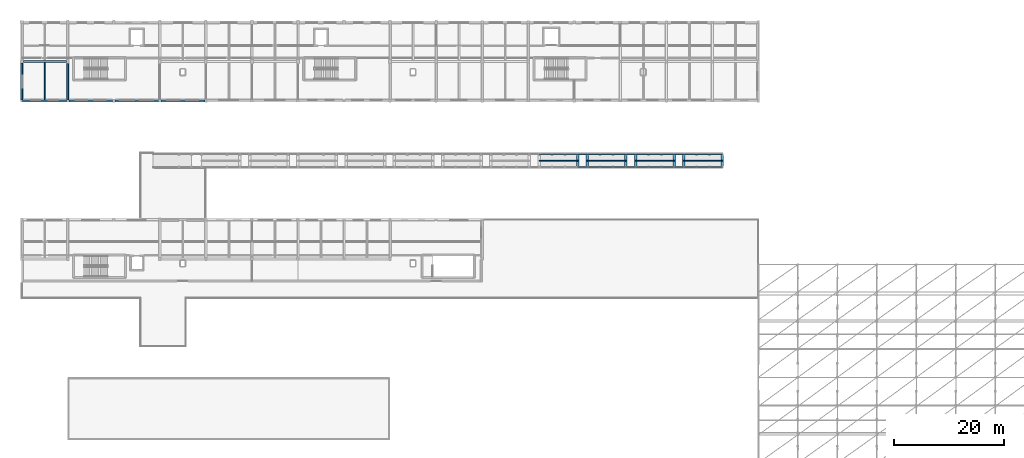
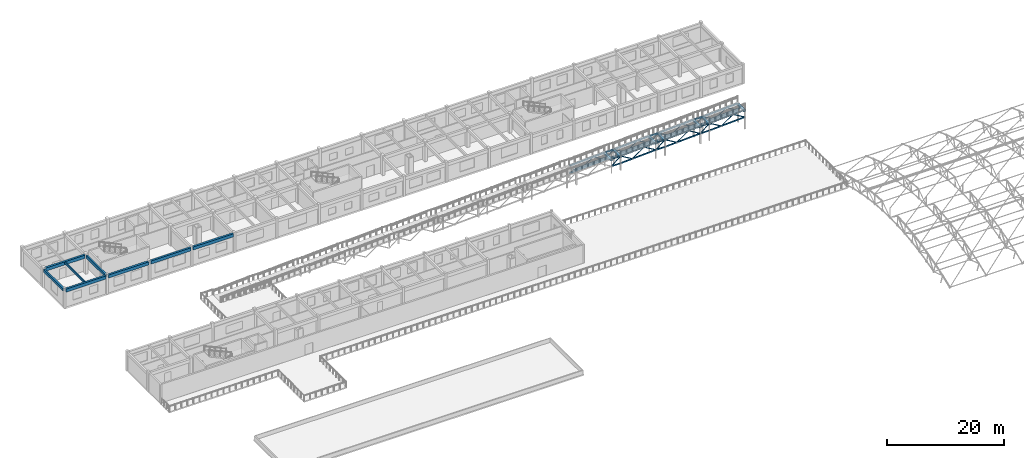
# One storey, part 10 of 41: 52 members, 19 beams.
"""IFC4 building model written with IfcOpenShell, lengths in metres."""

from ifc_helpers import new_model, si_unit, direction, frame, origin, origin_2d, place, context, subcontext, project, spatial, rectangle, hollow_rectangle, i_section, extrude, material, material_profile, profile_set, type_object, element, save


model = new_model("IFC4")

# Units and contexts
model_context = context("Model", 3, precision=1e-05, world=origin(), true_north=direction((0.0, 1.0)))
body_context = subcontext(model_context, "Body", "Model", "MODEL_VIEW")
ifc_project = project(units=[si_unit("LENGTHUNIT", "METRE"), si_unit("AREAUNIT", "SQUARE_METRE"), si_unit("VOLUMEUNIT", "CUBIC_METRE"), si_unit("PLANEANGLEUNIT", "RADIAN"), si_unit("MASSUNIT", "GRAM", prefix="KILO")], contexts=[model_context])

# Site, building, storey
site_placement = place(None, origin())
site = spatial("IfcSite", under=ifc_project, at=site_placement, CompositionType="ELEMENT")
building_placement = place(site_placement, origin())
building = spatial("IfcBuilding", under=site, at=building_placement, Name="Malvenik Polytechnic", CompositionType="ELEMENT")
storey_placement = place(building_placement, frame((0.0, 0.0, 17.699951171875)))
storey = spatial("IfcBuildingStorey", under=building, at=storey_placement, Name="L04", CompositionType="ELEMENT", Elevation=17.699951171875)

# Beams
ifc_material_1 = material(Name="Concrete C35/45", Category="concrete")
ifc_material_profile_1 = material_profile(ifc_material_1, rectangle(XDim=0.39990234375, YDim=0.679931640625, at=origin_2d()), Name="RC BM 400x680")
ifc_profile_set_1 = profile_set([ifc_material_profile_1], Name="Concrete C35/45")
beam_type_1 = type_object("IfcBeamType", Name="STR-BM-B-05", PredefinedType="BEAM", material=ifc_profile_set_1)
beam_1_placement = place(storey_placement, frame((0.298095703125, 122.39990234375, 3.580078125), z_axis=(1.0, 0.0, 0.0), x_axis=(0.0, 1.0, 0.0)))
element("IfcBeam", 1, at=beam_1_placement, inside=storey, type_object=beam_type_1, Name="Primary Beam B-05 L04 #1859", PredefinedType="BEAM", context=body_context, shape_type="SweptSolid", body=[
    extrude(rectangle(XDim=0.39990234375, YDim=0.679931640625, at=origin_2d()), origin(), (0.0, 0.0, 1.0), 7.85400390625),
])
ifc_material_profile_2 = material_profile(ifc_material_1, rectangle(XDim=0.35009765625, YDim=0.550048828125, at=origin_2d()), Name="RC BM 350x550")
ifc_profile_set_2 = profile_set([ifc_material_profile_2], Name="Concrete C35/45")
beam_type_2 = type_object("IfcBeamType", Name="STR-BM-B-08", PredefinedType="BEAM", material=ifc_profile_set_2)
beam_2_placement = place(storey_placement, frame((0.0, 115.39794921875, 3.64501953125), z_axis=(0.0, 1.0, 0.0), x_axis=(-1.0, 0.0, 0.0)))
element("IfcBeam", 2, at=beam_2_placement, inside=storey, type_object=beam_type_2, Name="Transverse Beam B-08 L04 #1886", PredefinedType="BEAM", context=body_context, shape_type="SweptSolid", body=[
    extrude(rectangle(XDim=0.35009765625, YDim=0.550048828125, at=origin_2d()), origin(), (0.0, 0.0, 1.0), 6.7041015625),
])
beam_3_placement = place(storey_placement, frame((8.39990234375, 115.423095703125, 3.64501953125), z_axis=(0.0, 1.0, 0.0), x_axis=(-1.0, 0.0, 0.0)))
element("IfcBeam", 3, at=beam_3_placement, inside=storey, type_object=beam_type_2, Name="Transverse Beam B-08 L04 #1889", PredefinedType="BEAM", context=body_context, shape_type="SweptSolid", body=[
    extrude(rectangle(XDim=0.35009765625, YDim=0.550048828125, at=origin_2d()), origin(), (0.0, 0.0, 1.0), 6.60400390625),
])
ifc_material_2 = material(Name="Concrete C30/37", Category="concrete")
ifc_material_profile_3 = material_profile(ifc_material_2, rectangle(XDim=0.239990234375, YDim=0.419921875, at=origin_2d()), Name="RC JST 240x420")
ifc_profile_set_3 = profile_set([ifc_material_profile_3], Name="Concrete C30/37")
beam_type_3 = type_object("IfcBeamType", Name="STR-BM-J-03", PredefinedType="JOIST", material=ifc_profile_set_3)
beam_4_placement = place(storey_placement, frame((4.199951171875, 115.39794921875, 3.7099609375), z_axis=(0.0, 1.0, 0.0), x_axis=(-1.0, 0.0, 0.0)))
element("IfcBeam", 4, at=beam_4_placement, inside=storey, type_object=beam_type_3, Name="Secondary Rib Joist J-03 L04 #1923", PredefinedType="JOIST", context=body_context, shape_type="SweptSolid", body=[
    extrude(rectangle(XDim=0.239990234375, YDim=0.419921875, at=origin_2d()), origin(), (0.0, 0.0, 1.0), 6.803955078125),
])
ifc_material_3 = material(Name="Steel S355J2H", Category="steel")
ifc_material_profile_4 = material_profile(ifc_material_3, hollow_rectangle(XDim=0.449951171875, YDim=0.300048828125, WallThickness=0.012451171875, at=origin_2d()), Name="RHS 450x300x12.5")
ifc_profile_set_4 = profile_set([ifc_material_profile_4], Name="Steel S355J2H")
beam_type_4 = type_object("IfcBeamType", Name="STR-BM-SB-07", PredefinedType="BEAM", material=ifc_profile_set_4)
for number, where, z_axis, x_axis, name in (
    (5, (101.39990234375, 103.050048828125, 2.781982421875), (0.0, 1.0, 0.0), (-1.0, 0.0, 0.0), "Ramp Joint Transom RB-03 #17"),
    (6, (103.199951171875, 103.050048828125, 2.781982421875), (0.0, 1.0, 0.0), (-1.0, 0.0, 0.0), "Ramp Joint Transom RB-03 #18"),
    (7, (110.199951171875, 103.050048828125, 3.132080078125), (0.0, 1.0, 0.0), (-1.0, 0.0, 0.0), "Ramp Joint Transom RB-03 #19"),
    (8, (112.0, 103.050048828125, 3.132080078125), (0.0, 1.0, 0.0), (-1.0, 0.0, 0.0), "Ramp Joint Transom RB-03 #20"),
    (9, (119.0, 103.050048828125, 3.48193359375), (0.0, 1.0, 0.0), (-1.0, 0.0, 0.0), "Ramp Joint Transom RB-03 #21"),
    (10, (120.800048828125, 103.050048828125, 3.48193359375), (0.0, 1.0, 0.0), (-1.0, 0.0, 0.0), "Ramp Joint Transom RB-03 #22"),
    (11, (127.800048828125, 103.050048828125, 3.802001953125), (0.0, 1.0, 0.0), (-1.0, 0.0, 0.0), "Ramp Joint Transom RB-03 #23"),
):
    element("IfcBeam", number, at=place(storey_placement, frame(where, z_axis=z_axis, x_axis=x_axis)), inside=storey, type_object=beam_type_4, Name=name, PredefinedType="BEAM", context=body_context, shape_type="SweptSolid", body=[
        extrude(hollow_rectangle(XDim=0.449951171875, YDim=0.300048828125, WallThickness=0.012451171875, at=origin_2d()), origin(), (0.0, 0.0, 1.0), 2.5),
    ])
ifc_material_4 = material(Name="Steel S355", Category="steel")
ifc_material_profile_5 = material_profile(ifc_material_4, i_section(OverallWidth=0.14990234375, OverallDepth=0.300048828125, WebThickness=0.007080078125, FlangeThickness=0.0107421875, FilletRadius=0.014892578125, at=origin_2d()), Name="IPE 300")
ifc_profile_set_5 = profile_set([ifc_material_profile_5], Name="Steel S355")
beam_type_5 = type_object("IfcBeamType", Name="STR-BM-SB-09", PredefinedType="JOIST", material=ifc_profile_set_5)
for number, where, z_axis, x_axis, name in (
    (12, (94.39990234375, 104.300048828125, 2.375), (0.998751643845, 0.0, 0.049951515669), (0.0, 1.0, 0.0), "Ramp Centreline Stringer RB-03 #16"),
    (13, (103.199951171875, 104.300048828125, 2.72509765625), (0.998753381067, 0.0, 0.049916768801), (0.0, 1.0, 0.0), "Ramp Centreline Stringer RB-03 #18"),
    (14, (112.0, 104.300048828125, 3.074951171875), (0.998751643845, 0.0, 0.049951515669), (0.0, 1.0, 0.0), "Ramp Centreline Stringer RB-03 #20"),
    (15, (120.800048828125, 104.300048828125, 3.425048828125), (0.998751643845, 0.0, 0.049951515669), (0.0, 1.0, 0.0), "Ramp Centreline Stringer RB-03 #22"),
):
    element("IfcBeam", number, at=place(storey_placement, frame(where, z_axis=z_axis, x_axis=x_axis)), inside=storey, type_object=beam_type_5, Name=name, PredefinedType="JOIST", context=body_context, shape_type="SweptSolid", body=[
        extrude(i_section(OverallWidth=0.14990234375, OverallDepth=0.300048828125, WebThickness=0.007080078125, FlangeThickness=0.0107421875, FilletRadius=0.014892578125, at=origin_2d()), origin(), (0.0, 0.0, 1.0), 7.0087890625),
    ])
ifc_material_5 = material(Name="Precast concrete C40/50", Category="concrete")
ifc_material_profile_6 = material_profile(ifc_material_5, rectangle(XDim=0.39990234375, YDim=0.659912109375, at=origin_2d()), Name="PC SPN 400x660")
ifc_profile_set_6 = profile_set([ifc_material_profile_6], Name="Precast concrete C40/50")
beam_type_6 = type_object("IfcBeamType", Name="STR-BM-SP-03", PredefinedType="SPANDREL", material=ifc_profile_set_6)
for number, where, z_axis, x_axis, name in (
    (16, (0.197998046875, 115.199951171875, 3.590087890625), (1.0, 0.0, 0.0), (0.0, 1.0, 0.0), "Primary Beam SP-03 L04 #1843"),
    (17, (8.623046875, 115.199951171875, 3.590087890625), (1.0, 0.0, 0.0), (0.0, 1.0, 0.0), "Primary Beam SP-03 L04 #1844"),
):
    element("IfcBeam", number, at=place(storey_placement, frame(where, z_axis=z_axis, x_axis=x_axis)), inside=storey, type_object=beam_type_6, Name=name, PredefinedType="SPANDREL", context=body_context, shape_type="SweptSolid", body=[
        extrude(rectangle(XDim=0.39990234375, YDim=0.659912109375, at=origin_2d()), origin(), (0.0, 0.0, 1.0), 7.97900390625),
    ])
beam_5_placement = place(storey_placement, frame((16.998046875, 115.199951171875, 3.590087890625), z_axis=(1.0, 0.0, 0.0), x_axis=(0.0, 1.0, 0.0)))
element("IfcBeam", 18, at=beam_5_placement, inside=storey, type_object=beam_type_6, Name="Primary Beam SP-03 L04 #1845", PredefinedType="SPANDREL", context=body_context, shape_type="SweptSolid", body=[
    extrude(rectangle(XDim=0.39990234375, YDim=0.659912109375, at=origin_2d()), origin(), (0.0, 0.0, 1.0), 8.00390625),
])
beam_6_placement = place(storey_placement, frame((25.39794921875, 115.199951171875, 3.590087890625), z_axis=(1.0, 0.0, 0.0), x_axis=(0.0, 1.0, 0.0)))
element("IfcBeam", 19, at=beam_6_placement, inside=storey, type_object=beam_type_6, Name="Primary Beam SP-03 L04 #1846", PredefinedType="SPANDREL", context=body_context, shape_type="SweptSolid", body=[
    extrude(rectangle(XDim=0.39990234375, YDim=0.659912109375, at=origin_2d()), origin(), (0.0, 0.0, 1.0), 8.004150390625),
])

# Members
ifc_material_profile_7 = material_profile(ifc_material_3, hollow_rectangle(XDim=0.14990234375, YDim=0.25, WallThickness=0.010009765625, at=origin_2d()), Name="RHS 250x150x10.0")
ifc_profile_set_7 = profile_set([ifc_material_profile_7], Name="Steel S355J2H")
member_type_1 = type_object("IfcMemberType", Name="STR-MEM-TRB-01", PredefinedType="CHORD", material=ifc_profile_set_7)
member_1_placement = place(storey_placement, frame((101.404052734375, 103.14990234375, 1.429931640625), z_axis=(1.0, 0.0, 0.0), x_axis=(0.0, 1.0, 0.0)))
element("IfcMember", 20, at=member_1_placement, inside=storey, type_object=member_type_1, Name="Space-Frame Tube TRB-01 STR-TR-BC-RB-03-1-17", PredefinedType="CHORD", context=body_context, shape_type="SweptSolid", body=[
    extrude(hollow_rectangle(XDim=0.14990234375, YDim=0.25, WallThickness=0.010009765625, at=origin_2d()), origin(), (0.0, 0.0, 1.0), 1.7919921875),
])
member_2_placement = place(storey_placement, frame((103.2041015625, 103.14990234375, 1.43017578125), z_axis=(0.998752251909, 0.0, 0.049939356288), x_axis=(0.0, 1.0, 0.0)))
element("IfcMember", 21, at=member_2_placement, inside=storey, type_object=member_type_1, Name="Space-Frame Tube TRB-01 STR-TR-BC-RB-03-1-18", PredefinedType="CHORD", context=body_context, shape_type="SweptSolid", body=[
    extrude(hollow_rectangle(XDim=0.14990234375, YDim=0.25, WallThickness=0.010009765625, at=origin_2d()), origin(), (0.0, 0.0, 1.0), 7.000732421875),
])
member_3_placement = place(storey_placement, frame((110.2041015625, 103.14990234375, 1.780029296875), z_axis=(1.0, 0.0, 0.0), x_axis=(0.0, 1.0, 0.0)))
element("IfcMember", 22, at=member_3_placement, inside=storey, type_object=member_type_1, Name="Space-Frame Tube TRB-01 STR-TR-BC-RB-03-1-19", PredefinedType="CHORD", context=body_context, shape_type="SweptSolid", body=[
    extrude(hollow_rectangle(XDim=0.14990234375, YDim=0.25, WallThickness=0.010009765625, at=origin_2d()), origin(), (0.0, 0.0, 1.0), 1.7919921875),
])
member_4_placement = place(storey_placement, frame((112.00390625, 103.14990234375, 1.7802734375), z_axis=(0.998752338878, 0.0, 0.049937616944), x_axis=(0.0, 1.0, 0.0)))
element("IfcMember", 23, at=member_4_placement, inside=storey, type_object=member_type_1, Name="Space-Frame Tube TRB-01 STR-TR-BC-RB-03-1-20", PredefinedType="CHORD", context=body_context, shape_type="SweptSolid", body=[
    extrude(hollow_rectangle(XDim=0.14990234375, YDim=0.25, WallThickness=0.010009765625, at=origin_2d()), origin(), (0.0, 0.0, 1.0), 7.0009765625),
])
member_5_placement = place(storey_placement, frame((119.00390625, 103.14990234375, 2.130126953125), z_axis=(1.0, 0.0, 0.0), x_axis=(0.0, 1.0, 0.0)))
element("IfcMember", 24, at=member_5_placement, inside=storey, type_object=member_type_1, Name="Space-Frame Tube TRB-01 STR-TR-BC-RB-03-1-21", PredefinedType="CHORD", context=body_context, shape_type="SweptSolid", body=[
    extrude(hollow_rectangle(XDim=0.14990234375, YDim=0.25, WallThickness=0.010009765625, at=origin_2d()), origin(), (0.0, 0.0, 1.0), 1.7919921875),
])
member_6_placement = place(storey_placement, frame((120.803955078125, 103.14990234375, 2.130126953125), z_axis=(0.998752251909, 0.0, 0.049939356288), x_axis=(0.0, 1.0, 0.0)))
element("IfcMember", 25, at=member_6_placement, inside=storey, type_object=member_type_1, Name="Space-Frame Tube TRB-01 STR-TR-BC-RB-03-1-22", PredefinedType="CHORD", context=body_context, shape_type="SweptSolid", body=[
    extrude(hollow_rectangle(XDim=0.14990234375, YDim=0.25, WallThickness=0.010009765625, at=origin_2d()), origin(), (0.0, 0.0, 1.0), 7.000732421875),
])
ifc_material_profile_8 = material_profile(ifc_material_3, hollow_rectangle(XDim=0.199951171875, YDim=0.300048828125, WallThickness=0.010009765625, at=origin_2d()), Name="RHS 300x200x10.0")
ifc_profile_set_8 = profile_set([ifc_material_profile_8], Name="Steel S355J2H")
member_type_2 = type_object("IfcMemberType", Name="STR-MEM-TRB-02", PredefinedType="CHORD", material=ifc_profile_set_8)
member_7_placement = place(storey_placement, frame((94.404052734375, 105.449951171875, 1.080322265625), z_axis=(0.998752251909, 0.0, 0.049939356288), x_axis=(0.0, 1.0, 0.0)))
element("IfcMember", 26, at=member_7_placement, inside=storey, type_object=member_type_2, Name="Space-Frame Tube TRB-02 STR-TR-BC-RB-03-2-16", PredefinedType="CHORD", context=body_context, shape_type="SweptSolid", body=[
    extrude(hollow_rectangle(XDim=0.199951171875, YDim=0.300048828125, WallThickness=0.010009765625, at=origin_2d()), origin(), (0.0, 0.0, 1.0), 7.000732421875),
])
member_8_placement = place(storey_placement, frame((101.404052734375, 105.449951171875, 1.429931640625), z_axis=(1.0, 0.0, 0.0), x_axis=(0.0, 1.0, 0.0)))
element("IfcMember", 27, at=member_8_placement, inside=storey, type_object=member_type_2, Name="Space-Frame Tube TRB-02 STR-TR-BC-RB-03-2-17", PredefinedType="CHORD", context=body_context, shape_type="SweptSolid", body=[
    extrude(hollow_rectangle(XDim=0.199951171875, YDim=0.300048828125, WallThickness=0.010009765625, at=origin_2d()), origin(), (0.0, 0.0, 1.0), 1.7919921875),
])
member_9_placement = place(storey_placement, frame((103.2041015625, 105.449951171875, 1.43017578125), z_axis=(0.998752251909, 0.0, 0.049939356288), x_axis=(0.0, 1.0, 0.0)))
element("IfcMember", 28, at=member_9_placement, inside=storey, type_object=member_type_2, Name="Space-Frame Tube TRB-02 STR-TR-BC-RB-03-2-18", PredefinedType="CHORD", context=body_context, shape_type="SweptSolid", body=[
    extrude(hollow_rectangle(XDim=0.199951171875, YDim=0.300048828125, WallThickness=0.010009765625, at=origin_2d()), origin(), (0.0, 0.0, 1.0), 7.000732421875),
])
member_10_placement = place(storey_placement, frame((110.2041015625, 105.449951171875, 1.780029296875), z_axis=(1.0, 0.0, 0.0), x_axis=(0.0, 1.0, 0.0)))
element("IfcMember", 29, at=member_10_placement, inside=storey, type_object=member_type_2, Name="Space-Frame Tube TRB-02 STR-TR-BC-RB-03-2-19", PredefinedType="CHORD", context=body_context, shape_type="SweptSolid", body=[
    extrude(hollow_rectangle(XDim=0.199951171875, YDim=0.300048828125, WallThickness=0.010009765625, at=origin_2d()), origin(), (0.0, 0.0, 1.0), 1.7919921875),
])
member_11_placement = place(storey_placement, frame((112.00390625, 105.449951171875, 1.7802734375), z_axis=(0.998752338878, 0.0, 0.049937616944), x_axis=(0.0, 1.0, 0.0)))
element("IfcMember", 30, at=member_11_placement, inside=storey, type_object=member_type_2, Name="Space-Frame Tube TRB-02 STR-TR-BC-RB-03-2-20", PredefinedType="CHORD", context=body_context, shape_type="SweptSolid", body=[
    extrude(hollow_rectangle(XDim=0.199951171875, YDim=0.300048828125, WallThickness=0.010009765625, at=origin_2d()), origin(), (0.0, 0.0, 1.0), 7.0009765625),
])
member_12_placement = place(storey_placement, frame((119.00390625, 105.449951171875, 2.130126953125), z_axis=(1.0, 0.0, 0.0), x_axis=(0.0, 1.0, 0.0)))
element("IfcMember", 31, at=member_12_placement, inside=storey, type_object=member_type_2, Name="Space-Frame Tube TRB-02 STR-TR-BC-RB-03-2-21", PredefinedType="CHORD", context=body_context, shape_type="SweptSolid", body=[
    extrude(hollow_rectangle(XDim=0.199951171875, YDim=0.300048828125, WallThickness=0.010009765625, at=origin_2d()), origin(), (0.0, 0.0, 1.0), 1.7919921875),
])
member_13_placement = place(storey_placement, frame((120.803955078125, 105.449951171875, 2.130126953125), z_axis=(0.998752251909, 0.0, 0.049939356288), x_axis=(0.0, 1.0, 0.0)))
element("IfcMember", 32, at=member_13_placement, inside=storey, type_object=member_type_2, Name="Space-Frame Tube TRB-02 STR-TR-BC-RB-03-2-22", PredefinedType="CHORD", context=body_context, shape_type="SweptSolid", body=[
    extrude(hollow_rectangle(XDim=0.199951171875, YDim=0.300048828125, WallThickness=0.010009765625, at=origin_2d()), origin(), (0.0, 0.0, 1.0), 7.000732421875),
])
ifc_material_profile_9 = material_profile(ifc_material_3, hollow_rectangle(XDim=0.14990234375, YDim=0.14990234375, WallThickness=0.008056640625, at=origin_2d()), Name="SHS 150x150x8.0")
ifc_profile_set_9 = profile_set([ifc_material_profile_9], Name="Steel S355J2H")
member_type_3 = type_object("IfcMemberType", Name="STR-MEM-TRD-01", PredefinedType="BRACE", material=ifc_profile_set_9)
for number, where, z_axis, x_axis, name in (
    (33, (103.203369140625, 103.14990234375, 2.927978515625), (0.860205006447, 0.0, -0.509948376684), (0.0, 1.0, 0.0), "Space-Frame Tube TRD-01 STR-TRD-01-RB-03-1-18"),
    (34, (107.8701171875, 103.14990234375, 3.161376953125), (0.860165406805, 0.0, -0.51001516932), (0.0, 1.0, 0.0), "Space-Frame Tube TRD-01 STR-TRD-03-RB-03-1-18"),
    (35, (112.00341796875, 103.14990234375, 3.278076171875), (0.860165406805, 0.0, -0.51001516932), (0.0, 1.0, 0.0), "Space-Frame Tube TRD-01 STR-TRD-01-RB-03-1-20"),
    (36, (116.670166015625, 103.14990234375, 3.51123046875), (0.860205006447, 0.0, -0.509948376684), (0.0, 1.0, 0.0), "Space-Frame Tube TRD-01 STR-TRD-03-RB-03-1-20"),
    (37, (120.803466796875, 103.14990234375, 3.6279296875), (0.860205006447, 0.0, -0.509948376684), (0.0, 1.0, 0.0), "Space-Frame Tube TRD-01 STR-TRD-01-RB-03-1-22"),
    (38, (125.47021484375, 103.14990234375, 3.861328125), (0.860165406805, 0.0, -0.51001516932), (0.0, 1.0, 0.0), "Space-Frame Tube TRD-01 STR-TRD-03-RB-03-1-22"),
    (39, (99.070068359375, 105.449951171875, 2.811279296875), (0.860205006447, 0.0, -0.509948376684), (0.0, 1.0, 0.0), "Space-Frame Tube TRD-01 STR-TRD-03-RB-03-2-16"),
    (40, (103.203369140625, 105.449951171875, 2.927978515625), (0.860205006447, 0.0, -0.509948376684), (0.0, 1.0, 0.0), "Space-Frame Tube TRD-01 STR-TRD-01-RB-03-2-18"),
    (41, (107.8701171875, 105.449951171875, 3.161376953125), (0.860165406805, 0.0, -0.51001516932), (0.0, 1.0, 0.0), "Space-Frame Tube TRD-01 STR-TRD-03-RB-03-2-18"),
    (42, (112.00341796875, 105.449951171875, 3.278076171875), (0.860165406805, 0.0, -0.51001516932), (0.0, 1.0, 0.0), "Space-Frame Tube TRD-01 STR-TRD-01-RB-03-2-20"),
    (43, (116.670166015625, 105.449951171875, 3.51123046875), (0.860205006447, 0.0, -0.509948376684), (0.0, 1.0, 0.0), "Space-Frame Tube TRD-01 STR-TRD-03-RB-03-2-20"),
    (44, (120.803466796875, 105.449951171875, 3.6279296875), (0.860205006447, 0.0, -0.509948376684), (0.0, 1.0, 0.0), "Space-Frame Tube TRD-01 STR-TRD-01-RB-03-2-22"),
    (45, (125.47021484375, 105.449951171875, 3.861328125), (0.860165406805, 0.0, -0.51001516932), (0.0, 1.0, 0.0), "Space-Frame Tube TRD-01 STR-TRD-03-RB-03-2-22"),
):
    element("IfcMember", number, at=place(storey_placement, frame(where, z_axis=z_axis, x_axis=x_axis)), inside=storey, type_object=member_type_3, Name=name, PredefinedType="BRACE", context=body_context, shape_type="SweptSolid", body=[
        extrude(hollow_rectangle(XDim=0.14990234375, YDim=0.14990234375, WallThickness=0.008056640625, at=origin_2d()), origin(), (0.0, 0.0, 1.0), 2.70458984375),
    ])
ifc_material_profile_10 = material_profile(ifc_material_3, hollow_rectangle(XDim=0.1201171875, YDim=0.1201171875, WallThickness=0.00634765625, at=origin_2d()), Name="SHS 120x120x6.3")
ifc_profile_set_10 = profile_set([ifc_material_profile_10], Name="Steel S355J2H")
member_type_4 = type_object("IfcMemberType", Name="STR-MEM-TRD-02", PredefinedType="BRACE", material=ifc_profile_set_10)
member_14_placement = place(storey_placement, frame((101.403076171875, 103.14990234375, 1.4326171875), z_axis=(0.768238418778, 0.0, 0.640163832088), x_axis=(0.0, 1.0, 0.0)))
element("IfcMember", 46, at=member_14_placement, inside=storey, type_object=member_type_4, Name="Space-Frame Tube TRD-02 STR-TR-DGL-RB-03-1-17", PredefinedType="BRACE", context=body_context, shape_type="SweptSolid", body=[
    extrude(hollow_rectangle(XDim=0.1201171875, YDim=0.1201171875, WallThickness=0.00634765625, at=origin_2d()), origin(), (0.0, 0.0, 1.0), 2.335205078125),
])
member_15_placement = place(storey_placement, frame((105.53662109375, 103.14990234375, 1.549072265625), z_axis=(0.821977884392, 0.0, 0.569519409301), x_axis=(0.0, 1.0, 0.0)))
element("IfcMember", 47, at=member_15_placement, inside=storey, type_object=member_type_4, Name="Space-Frame Tube TRD-02 STR-TRD-02-RB-03-1-18", PredefinedType="BRACE", context=body_context, shape_type="SweptSolid", body=[
    extrude(hollow_rectangle(XDim=0.1201171875, YDim=0.1201171875, WallThickness=0.00634765625, at=origin_2d()), origin(), (0.0, 0.0, 1.0), 2.83056640625),
])
member_16_placement = place(storey_placement, frame((110.203125, 103.14990234375, 1.78271484375), z_axis=(0.768246991948, 0.0, 0.640153543583), x_axis=(0.0, 1.0, 0.0)))
element("IfcMember", 48, at=member_16_placement, inside=storey, type_object=member_type_4, Name="Space-Frame Tube TRD-02 STR-TR-DGL-RB-03-1-19", PredefinedType="BRACE", context=body_context, shape_type="SweptSolid", body=[
    extrude(hollow_rectangle(XDim=0.1201171875, YDim=0.1201171875, WallThickness=0.00634765625, at=origin_2d()), origin(), (0.0, 0.0, 1.0), 2.334716796875),
])
member_17_placement = place(storey_placement, frame((114.336669921875, 103.14990234375, 1.899169921875), z_axis=(0.822018261481, 0.0, 0.569461129307), x_axis=(0.0, 1.0, 0.0)))
element("IfcMember", 49, at=member_17_placement, inside=storey, type_object=member_type_4, Name="Space-Frame Tube TRD-02 STR-TRD-02-RB-03-1-20", PredefinedType="BRACE", context=body_context, shape_type="SweptSolid", body=[
    extrude(hollow_rectangle(XDim=0.1201171875, YDim=0.1201171875, WallThickness=0.00634765625, at=origin_2d()), origin(), (0.0, 0.0, 1.0), 2.830322265625),
])
member_18_placement = place(storey_placement, frame((119.003173828125, 103.14990234375, 2.132568359375), z_axis=(0.768195567728, 0.0, 0.640215252647), x_axis=(0.0, 1.0, 0.0)))
element("IfcMember", 50, at=member_18_placement, inside=storey, type_object=member_type_4, Name="Space-Frame Tube TRD-02 STR-TR-DGL-RB-03-1-21", PredefinedType="BRACE", context=body_context, shape_type="SweptSolid", body=[
    extrude(hollow_rectangle(XDim=0.1201171875, YDim=0.1201171875, WallThickness=0.00634765625, at=origin_2d()), origin(), (0.0, 0.0, 1.0), 2.3349609375),
])
member_19_placement = place(storey_placement, frame((123.13671875, 103.14990234375, 2.2490234375), z_axis=(0.821977884392, 0.0, 0.569519409301), x_axis=(0.0, 1.0, 0.0)))
element("IfcMember", 51, at=member_19_placement, inside=storey, type_object=member_type_4, Name="Space-Frame Tube TRD-02 STR-TRD-02-RB-03-1-22", PredefinedType="BRACE", context=body_context, shape_type="SweptSolid", body=[
    extrude(hollow_rectangle(XDim=0.1201171875, YDim=0.1201171875, WallThickness=0.00634765625, at=origin_2d()), origin(), (0.0, 0.0, 1.0), 2.83056640625),
])
member_20_placement = place(storey_placement, frame((96.736572265625, 105.449951171875, 1.198974609375), z_axis=(0.822005857331, 0.0, 0.569479034305), x_axis=(0.0, 1.0, 0.0)))
element("IfcMember", 52, at=member_20_placement, inside=storey, type_object=member_type_4, Name="Space-Frame Tube TRD-02 STR-TRD-02-RB-03-2-16", PredefinedType="BRACE", context=body_context, shape_type="SweptSolid", body=[
    extrude(hollow_rectangle(XDim=0.1201171875, YDim=0.1201171875, WallThickness=0.00634765625, at=origin_2d()), origin(), (0.0, 0.0, 1.0), 2.830810546875),
])
member_21_placement = place(storey_placement, frame((101.403076171875, 105.449951171875, 1.4326171875), z_axis=(0.768238418778, 0.0, 0.640163832088), x_axis=(0.0, 1.0, 0.0)))
element("IfcMember", 53, at=member_21_placement, inside=storey, type_object=member_type_4, Name="Space-Frame Tube TRD-02 STR-TR-DGL-RB-03-2-17", PredefinedType="BRACE", context=body_context, shape_type="SweptSolid", body=[
    extrude(hollow_rectangle(XDim=0.1201171875, YDim=0.1201171875, WallThickness=0.00634765625, at=origin_2d()), origin(), (0.0, 0.0, 1.0), 2.335205078125),
])
member_22_placement = place(storey_placement, frame((105.53662109375, 105.449951171875, 1.549072265625), z_axis=(0.821977884392, 0.0, 0.569519409301), x_axis=(0.0, 1.0, 0.0)))
element("IfcMember", 54, at=member_22_placement, inside=storey, type_object=member_type_4, Name="Space-Frame Tube TRD-02 STR-TRD-02-RB-03-2-18", PredefinedType="BRACE", context=body_context, shape_type="SweptSolid", body=[
    extrude(hollow_rectangle(XDim=0.1201171875, YDim=0.1201171875, WallThickness=0.00634765625, at=origin_2d()), origin(), (0.0, 0.0, 1.0), 2.83056640625),
])
member_23_placement = place(storey_placement, frame((110.203125, 105.449951171875, 1.78271484375), z_axis=(0.768246991948, 0.0, 0.640153543583), x_axis=(0.0, 1.0, 0.0)))
element("IfcMember", 55, at=member_23_placement, inside=storey, type_object=member_type_4, Name="Space-Frame Tube TRD-02 STR-TR-DGL-RB-03-2-19", PredefinedType="BRACE", context=body_context, shape_type="SweptSolid", body=[
    extrude(hollow_rectangle(XDim=0.1201171875, YDim=0.1201171875, WallThickness=0.00634765625, at=origin_2d()), origin(), (0.0, 0.0, 1.0), 2.334716796875),
])
member_24_placement = place(storey_placement, frame((114.336669921875, 105.449951171875, 1.899169921875), z_axis=(0.822018261481, 0.0, 0.569461129307), x_axis=(0.0, 1.0, 0.0)))
element("IfcMember", 56, at=member_24_placement, inside=storey, type_object=member_type_4, Name="Space-Frame Tube TRD-02 STR-TRD-02-RB-03-2-20", PredefinedType="BRACE", context=body_context, shape_type="SweptSolid", body=[
    extrude(hollow_rectangle(XDim=0.1201171875, YDim=0.1201171875, WallThickness=0.00634765625, at=origin_2d()), origin(), (0.0, 0.0, 1.0), 2.830322265625),
])
member_25_placement = place(storey_placement, frame((119.003173828125, 105.449951171875, 2.132568359375), z_axis=(0.768195567728, 0.0, 0.640215252647), x_axis=(0.0, 1.0, 0.0)))
element("IfcMember", 57, at=member_25_placement, inside=storey, type_object=member_type_4, Name="Space-Frame Tube TRD-02 STR-TR-DGL-RB-03-2-21", PredefinedType="BRACE", context=body_context, shape_type="SweptSolid", body=[
    extrude(hollow_rectangle(XDim=0.1201171875, YDim=0.1201171875, WallThickness=0.00634765625, at=origin_2d()), origin(), (0.0, 0.0, 1.0), 2.3349609375),
])
member_26_placement = place(storey_placement, frame((123.13671875, 105.449951171875, 2.2490234375), z_axis=(0.821977884392, 0.0, 0.569519409301), x_axis=(0.0, 1.0, 0.0)))
element("IfcMember", 58, at=member_26_placement, inside=storey, type_object=member_type_4, Name="Space-Frame Tube TRD-02 STR-TRD-02-RB-03-2-22", PredefinedType="BRACE", context=body_context, shape_type="SweptSolid", body=[
    extrude(hollow_rectangle(XDim=0.1201171875, YDim=0.1201171875, WallThickness=0.00634765625, at=origin_2d()), origin(), (0.0, 0.0, 1.0), 2.83056640625),
])
ifc_material_profile_11 = material_profile(ifc_material_3, hollow_rectangle(XDim=0.199951171875, YDim=0.199951171875, WallThickness=0.010009765625, at=origin_2d()), Name="SHS 200x200x10.0")
ifc_profile_set_11 = profile_set([ifc_material_profile_11], Name="Steel S355J2H")
member_type_5 = type_object("IfcMemberType", Name="STR-MEM-TRT-01", PredefinedType="CHORD", material=ifc_profile_set_11)
member_27_placement = place(storey_placement, frame((101.404052734375, 103.14990234375, 2.929931640625), z_axis=(1.0, 0.0, 0.0), x_axis=(0.0, 1.0, 0.0)))
element("IfcMember", 59, at=member_27_placement, inside=storey, type_object=member_type_5, Name="Space-Frame Tube TRT-01 STR-TR-TC-RB-03-1-17", PredefinedType="CHORD", context=body_context, shape_type="SweptSolid", body=[
    extrude(hollow_rectangle(XDim=0.199951171875, YDim=0.199951171875, WallThickness=0.010009765625, at=origin_2d()), origin(), (0.0, 0.0, 1.0), 1.7919921875),
])
member_28_placement = place(storey_placement, frame((103.2041015625, 103.14990234375, 2.93017578125), z_axis=(0.998752251909, 0.0, 0.049939356288), x_axis=(0.0, 1.0, 0.0)))
element("IfcMember", 60, at=member_28_placement, inside=storey, type_object=member_type_5, Name="Space-Frame Tube TRT-01 STR-TR-TC-RB-03-1-18", PredefinedType="CHORD", context=body_context, shape_type="SweptSolid", body=[
    extrude(hollow_rectangle(XDim=0.199951171875, YDim=0.199951171875, WallThickness=0.010009765625, at=origin_2d()), origin(), (0.0, 0.0, 1.0), 7.000732421875),
])
member_29_placement = place(storey_placement, frame((110.2041015625, 103.14990234375, 3.280029296875), z_axis=(1.0, 0.0, 0.0), x_axis=(0.0, 1.0, 0.0)))
element("IfcMember", 61, at=member_29_placement, inside=storey, type_object=member_type_5, Name="Space-Frame Tube TRT-01 STR-TR-TC-RB-03-1-19", PredefinedType="CHORD", context=body_context, shape_type="SweptSolid", body=[
    extrude(hollow_rectangle(XDim=0.199951171875, YDim=0.199951171875, WallThickness=0.010009765625, at=origin_2d()), origin(), (0.0, 0.0, 1.0), 1.7919921875),
])
member_30_placement = place(storey_placement, frame((112.00390625, 103.14990234375, 3.2802734375), z_axis=(0.998752338878, 0.0, 0.049937616944), x_axis=(0.0, 1.0, 0.0)))
element("IfcMember", 62, at=member_30_placement, inside=storey, type_object=member_type_5, Name="Space-Frame Tube TRT-01 STR-TR-TC-RB-03-1-20", PredefinedType="CHORD", context=body_context, shape_type="SweptSolid", body=[
    extrude(hollow_rectangle(XDim=0.199951171875, YDim=0.199951171875, WallThickness=0.010009765625, at=origin_2d()), origin(), (0.0, 0.0, 1.0), 7.0009765625),
])
member_31_placement = place(storey_placement, frame((119.00390625, 103.14990234375, 3.630126953125), z_axis=(1.0, 0.0, 0.0), x_axis=(0.0, 1.0, 0.0)))
element("IfcMember", 63, at=member_31_placement, inside=storey, type_object=member_type_5, Name="Space-Frame Tube TRT-01 STR-TR-TC-RB-03-1-21", PredefinedType="CHORD", context=body_context, shape_type="SweptSolid", body=[
    extrude(hollow_rectangle(XDim=0.199951171875, YDim=0.199951171875, WallThickness=0.010009765625, at=origin_2d()), origin(), (0.0, 0.0, 1.0), 1.7919921875),
])
member_32_placement = place(storey_placement, frame((120.803955078125, 103.14990234375, 3.630126953125), z_axis=(0.998752251909, 0.0, 0.049939356288), x_axis=(0.0, 1.0, 0.0)))
element("IfcMember", 64, at=member_32_placement, inside=storey, type_object=member_type_5, Name="Space-Frame Tube TRT-01 STR-TR-TC-RB-03-1-22", PredefinedType="CHORD", context=body_context, shape_type="SweptSolid", body=[
    extrude(hollow_rectangle(XDim=0.199951171875, YDim=0.199951171875, WallThickness=0.010009765625, at=origin_2d()), origin(), (0.0, 0.0, 1.0), 7.000732421875),
])
ifc_material_profile_12 = material_profile(ifc_material_3, hollow_rectangle(XDim=0.25, YDim=0.25, WallThickness=0.010009765625, at=origin_2d()), Name="SHS 250x250x10.0")
ifc_profile_set_12 = profile_set([ifc_material_profile_12], Name="Steel S355J2H")
member_type_6 = type_object("IfcMemberType", Name="STR-MEM-TRT-02", PredefinedType="CHORD", material=ifc_profile_set_12)
member_33_placement = place(storey_placement, frame((94.404052734375, 105.449951171875, 2.580322265625), z_axis=(0.998752251909, 0.0, 0.049939356288), x_axis=(0.0, 1.0, 0.0)))
element("IfcMember", 65, at=member_33_placement, inside=storey, type_object=member_type_6, Name="Space-Frame Tube TRT-02 STR-TR-TC-RB-03-2-16", PredefinedType="CHORD", context=body_context, shape_type="SweptSolid", body=[
    extrude(hollow_rectangle(XDim=0.25, YDim=0.25, WallThickness=0.010009765625, at=origin_2d()), origin(), (0.0, 0.0, 1.0), 7.000732421875),
])
member_34_placement = place(storey_placement, frame((101.404052734375, 105.449951171875, 2.929931640625), z_axis=(1.0, 0.0, 0.0), x_axis=(0.0, 1.0, 0.0)))
element("IfcMember", 66, at=member_34_placement, inside=storey, type_object=member_type_6, Name="Space-Frame Tube TRT-02 STR-TR-TC-RB-03-2-17", PredefinedType="CHORD", context=body_context, shape_type="SweptSolid", body=[
    extrude(hollow_rectangle(XDim=0.25, YDim=0.25, WallThickness=0.010009765625, at=origin_2d()), origin(), (0.0, 0.0, 1.0), 1.7919921875),
])
member_35_placement = place(storey_placement, frame((103.2041015625, 105.449951171875, 2.93017578125), z_axis=(0.998752251909, 0.0, 0.049939356288), x_axis=(0.0, 1.0, 0.0)))
element("IfcMember", 67, at=member_35_placement, inside=storey, type_object=member_type_6, Name="Space-Frame Tube TRT-02 STR-TR-TC-RB-03-2-18", PredefinedType="CHORD", context=body_context, shape_type="SweptSolid", body=[
    extrude(hollow_rectangle(XDim=0.25, YDim=0.25, WallThickness=0.010009765625, at=origin_2d()), origin(), (0.0, 0.0, 1.0), 7.000732421875),
])
member_36_placement = place(storey_placement, frame((110.2041015625, 105.449951171875, 3.280029296875), z_axis=(1.0, 0.0, 0.0), x_axis=(0.0, 1.0, 0.0)))
element("IfcMember", 68, at=member_36_placement, inside=storey, type_object=member_type_6, Name="Space-Frame Tube TRT-02 STR-TR-TC-RB-03-2-19", PredefinedType="CHORD", context=body_context, shape_type="SweptSolid", body=[
    extrude(hollow_rectangle(XDim=0.25, YDim=0.25, WallThickness=0.010009765625, at=origin_2d()), origin(), (0.0, 0.0, 1.0), 1.7919921875),
])
member_37_placement = place(storey_placement, frame((112.00390625, 105.449951171875, 3.2802734375), z_axis=(0.998752338878, 0.0, 0.049937616944), x_axis=(0.0, 1.0, 0.0)))
element("IfcMember", 69, at=member_37_placement, inside=storey, type_object=member_type_6, Name="Space-Frame Tube TRT-02 STR-TR-TC-RB-03-2-20", PredefinedType="CHORD", context=body_context, shape_type="SweptSolid", body=[
    extrude(hollow_rectangle(XDim=0.25, YDim=0.25, WallThickness=0.010009765625, at=origin_2d()), origin(), (0.0, 0.0, 1.0), 7.0009765625),
])
member_38_placement = place(storey_placement, frame((119.00390625, 105.449951171875, 3.630126953125), z_axis=(1.0, 0.0, 0.0), x_axis=(0.0, 1.0, 0.0)))
element("IfcMember", 70, at=member_38_placement, inside=storey, type_object=member_type_6, Name="Space-Frame Tube TRT-02 STR-TR-TC-RB-03-2-21", PredefinedType="CHORD", context=body_context, shape_type="SweptSolid", body=[
    extrude(hollow_rectangle(XDim=0.25, YDim=0.25, WallThickness=0.010009765625, at=origin_2d()), origin(), (0.0, 0.0, 1.0), 1.7919921875),
])
member_39_placement = place(storey_placement, frame((120.803955078125, 105.449951171875, 3.630126953125), z_axis=(0.998752251909, 0.0, 0.049939356288), x_axis=(0.0, 1.0, 0.0)))
element("IfcMember", 71, at=member_39_placement, inside=storey, type_object=member_type_6, Name="Space-Frame Tube TRT-02 STR-TR-TC-RB-03-2-22", PredefinedType="CHORD", context=body_context, shape_type="SweptSolid", body=[
    extrude(hollow_rectangle(XDim=0.25, YDim=0.25, WallThickness=0.010009765625, at=origin_2d()), origin(), (0.0, 0.0, 1.0), 7.000732421875),
])

save(model, "model.ifc")
